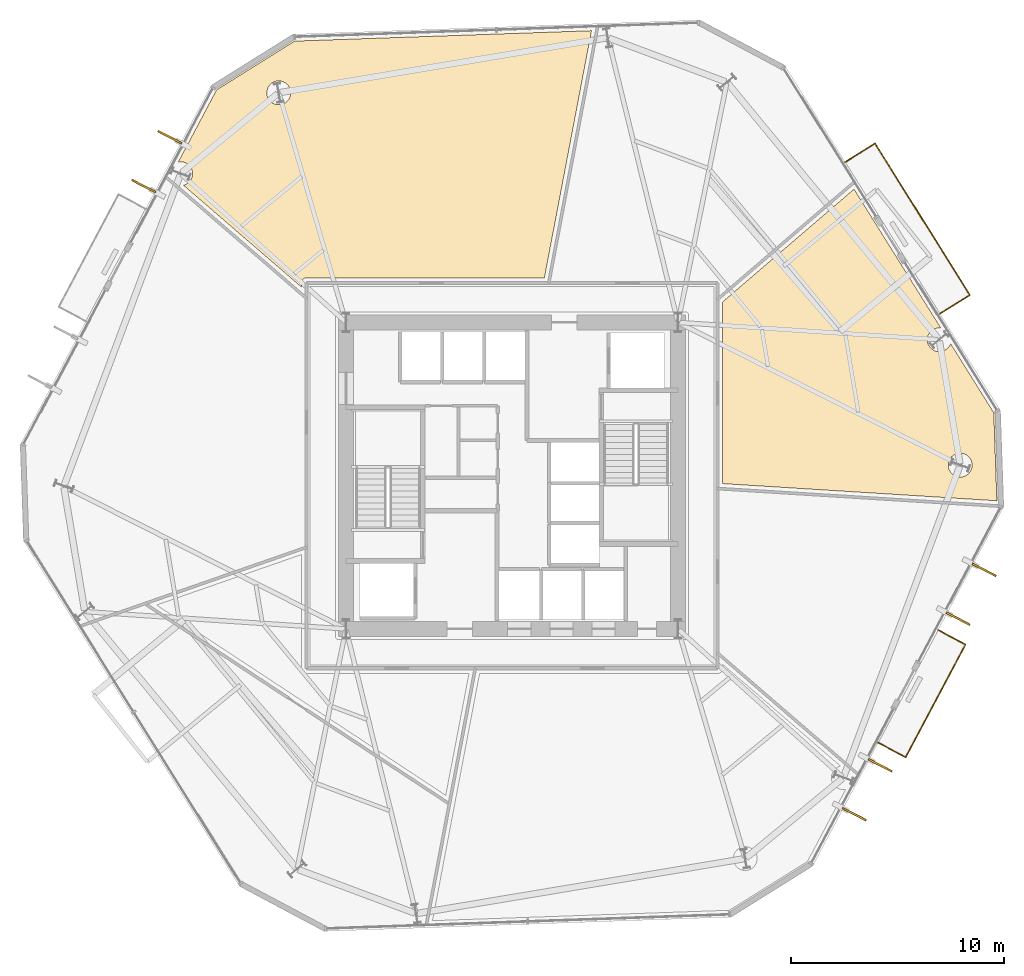
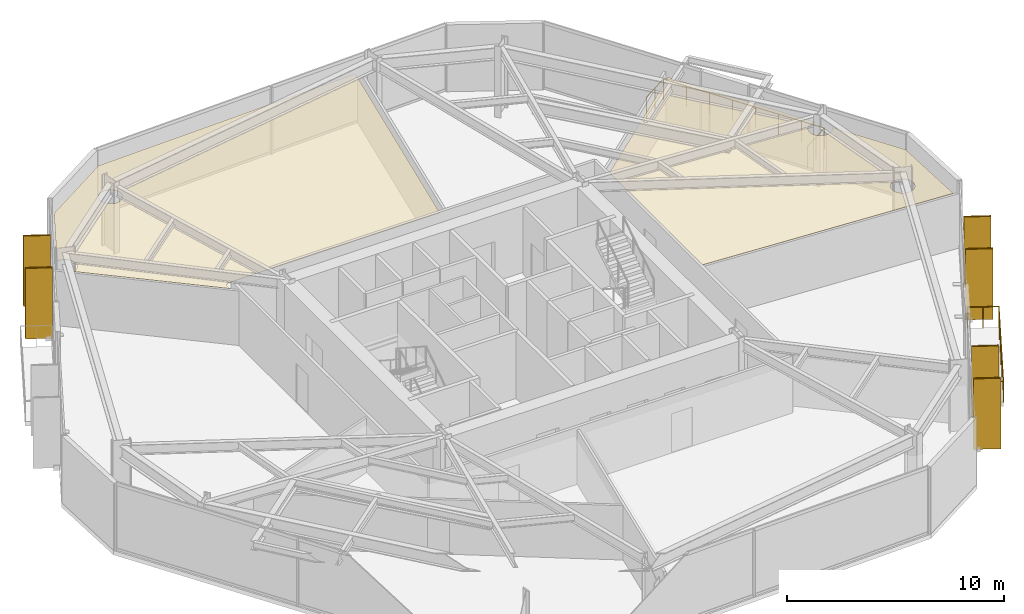
# One storey, part 10 of 10: 8 coverings, 6 shading devices, 2 railings.
"""IFC4 building model written with IfcOpenShell, lengths in metres."""

from ifc_helpers import new_model, si_unit, direction, frame, origin, origin_2d, place, context, subcontext, project, spatial, polyline, rectangle, circle, outline, extrude, material, layer, layer_set, type_object, element, save


model = new_model("IFC4")

# Units and contexts
model_context = context("Model", 3, precision=1e-05, world=origin(), true_north=direction((0.0, 1.0)))
body_context = subcontext(model_context, "Body", "Model", "MODEL_VIEW")
ifc_project = project(units=[si_unit("LENGTHUNIT", "METRE"), si_unit("AREAUNIT", "SQUARE_METRE"), si_unit("VOLUMEUNIT", "CUBIC_METRE"), si_unit("PLANEANGLEUNIT", "RADIAN"), si_unit("MASSUNIT", "GRAM", prefix="KILO")], contexts=[model_context])

# Site, building, storey
site_placement = place(None, origin())
site = spatial("IfcSite", under=ifc_project, at=site_placement, CompositionType="ELEMENT")
building_placement = place(site_placement, origin())
building = spatial("IfcBuilding", under=site, at=building_placement, Name="Kranzbogen Civic Tower", CompositionType="ELEMENT")
storey_placement = place(building_placement, frame((0.0, 0.0, 28.0)))
storey = spatial("IfcBuildingStorey", under=building, at=storey_placement, Name="L06", CompositionType="ELEMENT", Elevation=28.0)

# Coverings
ifc_material_1 = material(Name="Pale Anodised Aluminium", Category="aluminium")
ifc_layer_1 = layer(ifc_material_1, 0.02490234375, Name="Pale Anodised Aluminium")
ifc_layer_set_1 = layer_set([ifc_layer_1], Name="Pale Anodised Aluminium")
covering_type_1 = type_object("IfcCoveringType", Name="Anodised Aluminium Vertical Fin Cladding 25 mm", PredefinedType="CLADDING", material=ifc_layer_set_1)
for number, where, z_axis, x_axis, name in (
    (1, (8.9208984375, 40.903076171875, -0.139892578125), (0.0, 0.0, 1.0), (-0.888280786255, 0.459300821652, 0.0), "L06 vertical fin pale-metal cladding F3-1"),
    (2, (7.700927734375, 38.60693359375, -0.139892578125), (0.0, 0.0, 1.0), (-0.888280786255, 0.459300821652, 0.0), "L06 vertical fin pale-metal cladding F3-2"),
    (3, (41.0791015625, 9.096923828125, -0.139892578125), (0.0, 0.0, 1.0), (0.888280786255, -0.459300821652, 0.0), "L06 vertical fin pale-metal cladding F6-1"),
    (4, (42.299072265625, 11.39306640625, -0.139892578125), (0.0, 0.0, 1.0), (0.888280786255, -0.459300821652, 0.0), "L06 vertical fin pale-metal cladding F6-2"),
    (5, (45.9609375, 18.280029296875, -0.139892578125), (0.0, 0.0, 1.0), (0.888280786255, -0.459300821652, 0.0), "L06 vertical fin pale-metal cladding F6-5"),
    (6, (47.181884765625, 20.575927734375, -0.139892578125), (0.0, 0.0, 1.0), (0.888280786255, -0.459300821652, 0.0), "L06 vertical fin pale-metal cladding F6-6"),
):
    element("IfcCovering", number, at=place(storey_placement, frame(where, z_axis=z_axis, x_axis=x_axis)), inside=storey, type_object=covering_type_1, Name=name, PredefinedType="CLADDING", context=body_context, shape_type="SweptSolid", body=[
        extrude(rectangle(XDim=1.25, YDim=0.10009765625, at=origin_2d()), origin(), (0.0, 0.0, 1.0), 3.9599609375),
    ])

# Shading devices
ifc_material_2 = material(Name="Anodised Bronze Aluminium", Category="aluminium")
shading_device_type = type_object("IfcShadingDeviceType", Name="Anodised Bronze Vertical Facade Fin 1250x80", PredefinedType="USERDEFINED", material=ifc_material_2)
for number, where, z_axis, x_axis, name in (
    (7, (8.9208984375, 40.903076171875, -0.139892578125), (0.0, 0.0, 1.0), (-0.888280786255, 0.459300821652, 0.0), "L06 vertical exterior shading fin F3-1"),
    (8, (7.700927734375, 38.60693359375, -0.139892578125), (0.0, 0.0, 1.0), (-0.888280786255, 0.459300821652, 0.0), "L06 vertical exterior shading fin F3-2"),
    (9, (41.0791015625, 9.096923828125, -0.139892578125), (0.0, 0.0, 1.0), (0.888280786255, -0.459300821652, 0.0), "L06 vertical exterior shading fin F6-1"),
    (10, (42.299072265625, 11.39306640625, -0.139892578125), (0.0, 0.0, 1.0), (0.888280786255, -0.459300821652, 0.0), "L06 vertical exterior shading fin F6-2"),
    (11, (45.9609375, 18.280029296875, -0.139892578125), (0.0, 0.0, 1.0), (0.888280786255, -0.459300821652, 0.0), "L06 vertical exterior shading fin F6-5"),
    (12, (47.181884765625, 20.575927734375, -0.139892578125), (0.0, 0.0, 1.0), (0.888280786255, -0.459300821652, 0.0), "L06 vertical exterior shading fin F6-6"),
):
    element("IfcShadingDevice", number, at=place(storey_placement, frame(where, z_axis=z_axis, x_axis=x_axis)), inside=storey, type_object=shading_device_type, Name=name, ObjectType="FIN", PredefinedType="USERDEFINED", context=body_context, shape_type="SweptSolid", body=[
        extrude(rectangle(XDim=1.25, YDim=0.080078125, at=origin_2d()), origin(), (0.0, 0.0, 1.0), 3.9599609375),
    ])

# Railings
railing_type = type_object("IfcRailingType", Name="Cantilevered Balcony Glass and Bronze Balustrade 1200", PredefinedType="BALUSTRADE", material=ifc_material_2)
railing_1_placement = place(storey_placement, frame((42.2109375, 12.450927734375, 0.0)))
element("IfcRailing", 13, at=railing_1_placement, inside=storey, type_object=railing_type, Name="L06 exterior terrace balustrade L06-TB2", PredefinedType="BALUSTRADE", context=body_context, shape_type="SweptSolid", body=[
    extrude(circle(Radius=0.02392578125, at=origin_2d()), frame((0.0, 0.0, 1.17578125), z_axis=(0.882860505471, -0.469635313706, 0.0), x_axis=(0.469635313706, 0.882860505471, 0.0)), (0.0, 0.0, 1.0), 1.449951171875),
    extrude(circle(Radius=0.02392578125, at=origin_2d()), frame((1.280029296875, -0.680908203125, 1.17578125), z_axis=(0.469483413775, 0.882941291474, 0.0), x_axis=(-0.882941291474, 0.469483413775, 0.0)), (0.0, 0.0, 1.0), 6.00048828125),
    extrude(circle(Radius=0.02392578125, at=origin_2d()), frame((4.09716796875, 4.6171875, 1.17578125), z_axis=(-0.882860505471, 0.469635313706, 0.0), x_axis=(-0.469635313706, -0.882860505471, 0.0)), (0.0, 0.0, 1.0), 1.449951171875),
    extrude(circle(Radius=0.02099609375, at=origin_2d()), origin(), (0.0, 0.0, 1.0), 1.15185546875),
    extrude(circle(Radius=0.02099609375, at=origin_2d()), frame((0.64013671875, -0.34033203125, 0.0)), (0.0, 0.0, 1.0), 1.15185546875),
    extrude(circle(Radius=0.02099609375, at=origin_2d()), frame((1.280029296875, -0.680908203125, 0.0)), (0.0, 0.0, 1.0), 1.15185546875),
    extrude(circle(Radius=0.02099609375, at=origin_2d()), frame((1.74951171875, 0.2021484375, 0.0)), (0.0, 0.0, 1.0), 1.15185546875),
    extrude(circle(Radius=0.02099609375, at=origin_2d()), frame((2.218994140625, 1.085205078125, 0.0)), (0.0, 0.0, 1.0), 1.15185546875),
    extrude(circle(Radius=0.02099609375, at=origin_2d()), frame((2.6884765625, 1.96826171875, 0.0)), (0.0, 0.0, 1.0), 1.15185546875),
    extrude(circle(Radius=0.02099609375, at=origin_2d()), frame((3.158203125, 2.85107421875, 0.0)), (0.0, 0.0, 1.0), 1.15185546875),
    extrude(circle(Radius=0.02099609375, at=origin_2d()), frame((3.627685546875, 3.734130859375, 0.0)), (0.0, 0.0, 1.0), 1.15185546875),
    extrude(circle(Radius=0.02099609375, at=origin_2d()), frame((4.09716796875, 4.6171875, 0.0)), (0.0, 0.0, 1.0), 1.15185546875),
    extrude(circle(Radius=0.02099609375, at=origin_2d()), frame((3.45703125, 4.95751953125, 0.0)), (0.0, 0.0, 1.0), 1.15185546875),
    extrude(circle(Radius=0.02099609375, at=origin_2d()), frame((2.817138671875, 5.298095703125, 0.0)), (0.0, 0.0, 1.0), 1.15185546875),
])
railing_2_placement = place(storey_placement, frame((45.10888671875, 32.613037109375, 0.0)))
element("IfcRailing", 14, at=railing_2_placement, inside=storey, type_object=railing_type, Name="L06 exterior terrace balustrade L06-ST", PredefinedType="BALUSTRADE", context=body_context, shape_type="SweptSolid", body=[
    extrude(circle(Radius=0.02392578125, at=origin_2d()), frame((0.0, 0.0, 1.17578125), z_axis=(0.848122990072, 0.529799390064, 0.0), x_axis=(-0.529799390064, 0.848122990072, 0.0)), (0.0, 0.0, 1.0), 1.649658203125),
    extrude(circle(Radius=0.02392578125, at=origin_2d()), frame((1.399169921875, 0.8740234375, 1.17578125), z_axis=(-0.529936233792, 0.848037492163, 0.0), x_axis=(-0.848037492163, -0.529936233792, 0.0)), (0.0, 0.0, 1.0), 8.3994140625),
    extrude(circle(Radius=0.02392578125, at=origin_2d()), frame((-3.052001953125, 7.9970703125, 1.17578125), z_axis=(-0.8480814437, -0.529865893271, 0.0), x_axis=(0.529865893271, -0.8480814437, 0.0)), (0.0, 0.0, 1.0), 1.6494140625),
    extrude(circle(Radius=0.02099609375, at=origin_2d()), origin(), (0.0, 0.0, 1.0), 1.15185546875),
    extrude(circle(Radius=0.02099609375, at=origin_2d()), frame((0.69970703125, 0.43701171875, 0.0)), (0.0, 0.0, 1.0), 1.15185546875),
    extrude(circle(Radius=0.02099609375, at=origin_2d()), frame((1.399169921875, 0.8740234375, 0.0)), (0.0, 0.0, 1.0), 1.15185546875),
    extrude(circle(Radius=0.02099609375, at=origin_2d()), frame((0.76318359375, 1.8916015625, 0.0)), (0.0, 0.0, 1.0), 1.15185546875),
    extrude(circle(Radius=0.02099609375, at=origin_2d()), frame((0.12744140625, 2.9091796875, 0.0)), (0.0, 0.0, 1.0), 1.15185546875),
    extrude(circle(Radius=0.02099609375, at=origin_2d()), frame((-0.508544921875, 3.9267578125, 0.0)), (0.0, 0.0, 1.0), 1.15185546875),
    extrude(circle(Radius=0.02099609375, at=origin_2d()), frame((-1.144287109375, 4.9443359375, 0.0)), (0.0, 0.0, 1.0), 1.15185546875),
    extrude(circle(Radius=0.02099609375, at=origin_2d()), frame((-1.7802734375, 5.9619140625, 0.0)), (0.0, 0.0, 1.0), 1.15185546875),
    extrude(circle(Radius=0.02099609375, at=origin_2d()), frame((-2.416015625, 6.9794921875, 0.0)), (0.0, 0.0, 1.0), 1.15185546875),
    extrude(circle(Radius=0.02099609375, at=origin_2d()), frame((-3.052001953125, 7.9970703125, 0.0)), (0.0, 0.0, 1.0), 1.15185546875),
    extrude(circle(Radius=0.02099609375, at=origin_2d()), frame((-3.75146484375, 7.56005859375, 0.0)), (0.0, 0.0, 1.0), 1.15185546875),
    extrude(circle(Radius=0.02099609375, at=origin_2d()), frame((-4.450927734375, 7.123046875, 0.0)), (0.0, 0.0, 1.0), 1.15185546875),
])

# Coverings
ifc_material_3 = material(Name="Perforated Acoustic Gypsum Ceiling")
ifc_layer_2 = layer(ifc_material_3, 0.02490234375, Name="Perforated Acoustic Gypsum Ceiling")
ifc_layer_set_2 = layer_set([ifc_layer_2], Name="Perforated Acoustic Gypsum Ceiling")
covering_type_2 = type_object("IfcCoveringType", Name="Perforated Acoustic Mineral Ceiling Tile 25 mm", PredefinedType="CEILING", material=ifc_layer_set_2)
covering_1_placement = place(storey_placement, frame((0.0, 0.0, 2.89990234375)))
element("IfcCovering", 15, at=covering_1_placement, inside=storey, type_object=covering_type_2, Name="L06 Parliamentary Review Boardroom acoustic ceiling", PredefinedType="CEILING", context=body_context, shape_type="SweptSolid", body=[
    extrude(outline(polyline([(47.781005859375, 23.822021484375), (34.89501953125, 24.626953125), (34.89501953125, 33.166015625), (41.070068359375, 38.462890625), (45.14599609375, 31.93994140625), (45.126953125, 31.943115234375), (45.072021484375, 31.945068359375), (45.01708984375, 31.943115234375), (44.962890625, 31.93505859375), (44.909912109375, 31.9208984375), (44.85791015625, 31.903076171875), (44.80810546875, 31.87890625), (44.760986328125, 31.85107421875), (44.717041015625, 31.818115234375), (44.676025390625, 31.781982421875), (44.639892578125, 31.740966796875), (44.60693359375, 31.697021484375), (44.5791015625, 31.64990234375), (44.554931640625, 31.60009765625), (44.537109375, 31.548095703125), (44.52294921875, 31.4951171875), (44.514892578125, 31.44091796875), (44.512939453125, 31.385986328125), (44.514892578125, 31.3310546875), (44.52294921875, 31.277099609375), (44.537109375, 31.22412109375), (44.554931640625, 31.172119140625), (44.5791015625, 31.1220703125), (44.60693359375, 31.074951171875), (44.639892578125, 31.031005859375), (44.676025390625, 30.989990234375), (44.717041015625, 30.9541015625), (44.760986328125, 30.9208984375), (44.80810546875, 30.89306640625), (44.85791015625, 30.868896484375), (44.909912109375, 30.85107421875), (44.962890625, 30.8369140625), (45.01708984375, 30.8291015625), (45.072021484375, 30.826904296875), (45.126953125, 30.8291015625), (45.180908203125, 30.8369140625), (45.23388671875, 30.85107421875), (45.285888671875, 30.868896484375), (45.3359375, 30.89306640625), (45.383056640625, 30.9208984375), (45.427001953125, 30.9541015625), (45.468017578125, 30.989990234375), (45.50390625, 31.031005859375), (45.537109375, 31.074951171875), (45.56494140625, 31.1220703125), (45.589111328125, 31.172119140625), (45.60205078125, 31.2099609375), (47.635986328125, 27.955078125), (47.781005859375, 23.822021484375)]), holes=[polyline([(46.573974609375, 25.281982421875), (46.550048828125, 25.23193359375), (46.52197265625, 25.18505859375), (46.489013671875, 25.14111328125), (46.452880859375, 25.10009765625), (46.412109375, 25.06396484375), (46.367919921875, 25.031005859375), (46.321044921875, 25.0029296875), (46.27099609375, 24.97900390625), (46.218994140625, 24.9609375), (46.166015625, 24.947021484375), (46.112060546875, 24.93896484375), (46.056884765625, 24.93701171875), (46.001953125, 24.93896484375), (45.947998046875, 24.947021484375), (45.89501953125, 24.9609375), (45.843017578125, 24.97900390625), (45.79296875, 25.0029296875), (45.74609375, 25.031005859375), (45.701904296875, 25.06396484375), (45.660888671875, 25.10009765625), (45.625, 25.14111328125), (45.592041015625, 25.18505859375), (45.56396484375, 25.23193359375), (45.5400390625, 25.281982421875), (45.52197265625, 25.333984375), (45.508056640625, 25.386962890625), (45.5, 25.44091796875), (45.498046875, 25.49609375), (45.5, 25.551025390625), (45.508056640625, 25.60498046875), (45.52197265625, 25.657958984375), (45.5400390625, 25.7099609375), (45.56396484375, 25.760009765625), (45.592041015625, 25.806884765625), (45.625, 25.85107421875), (45.660888671875, 25.89208984375), (45.701904296875, 25.927978515625), (45.74609375, 25.9609375), (45.79296875, 25.989013671875), (45.843017578125, 26.012939453125), (45.89501953125, 26.031005859375), (45.947998046875, 26.044921875), (46.001953125, 26.052978515625), (46.056884765625, 26.054931640625), (46.112060546875, 26.052978515625), (46.166015625, 26.044921875), (46.218994140625, 26.031005859375), (46.27099609375, 26.012939453125), (46.321044921875, 25.989013671875), (46.367919921875, 25.9609375), (46.412109375, 25.927978515625), (46.452880859375, 25.89208984375), (46.489013671875, 25.85107421875), (46.52197265625, 25.806884765625), (46.550048828125, 25.760009765625), (46.573974609375, 25.7099609375), (46.592041015625, 25.657958984375), (46.60595703125, 25.60498046875), (46.614013671875, 25.551025390625), (46.615966796875, 25.49609375), (46.614013671875, 25.44091796875), (46.60595703125, 25.386962890625), (46.592041015625, 25.333984375), (46.573974609375, 25.281982421875)])]), origin(), (0.0, 0.0, 1.0), 0.025146484375),
])
covering_2_placement = place(storey_placement, frame((0.0, 0.0, 2.89990234375)))
element("IfcCovering", 16, at=covering_2_placement, inside=storey, type_object=covering_type_2, Name="L06 Delegates Sitting Lounge acoustic ceiling", PredefinedType="CEILING", context=body_context, shape_type="SweptSolid", body=[
    extrude(outline(polyline([(14.791015625, 45.41796875), (28.736083984375, 45.906005859375), (26.52294921875, 34.294921875), (15.35009765625, 34.294921875), (15.341064453125, 34.294921875), (15.3349609375, 34.2939453125), (15.31689453125, 34.29296875), (15.31103515625, 34.2919921875), (15.2939453125, 34.2880859375), (15.287109375, 34.287109375), (15.27001953125, 34.281982421875), (15.263916015625, 34.280029296875), (15.248046875, 34.27294921875), (15.241943359375, 34.27001953125), (15.22705078125, 34.261962890625), (15.220947265625, 34.258056640625), (15.20703125, 34.2490234375), (15.201904296875, 34.2451171875), (15.18798828125, 34.23388671875), (15.18310546875, 34.22900390625), (15.1708984375, 34.217041015625), (15.166015625, 34.2119140625), (15.155029296875, 34.197998046875), (15.15087890625, 34.193115234375), (15.14208984375, 34.178955078125), (15.137939453125, 34.173095703125), (15.1298828125, 34.157958984375), (15.126953125, 34.152099609375), (15.1201171875, 34.135986328125), (15.117919921875, 34.1298828125), (15.113037109375, 34.113037109375), (15.112060546875, 34.10595703125), (15.10791015625, 34.089111328125), (15.10693359375, 34.0830078125), (15.10595703125, 34.06494140625), (15.10498046875, 34.05908203125), (15.10498046875, 34.050048828125), (15.10498046875, 33.863037109375), (9.56298828125, 38.64599609375), (9.594970703125, 38.654052734375), (9.64697265625, 38.672119140625), (9.697021484375, 38.696044921875), (9.743896484375, 38.72412109375), (9.7880859375, 38.757080078125), (9.8291015625, 38.79296875), (9.864990234375, 38.833984375), (9.89794921875, 38.8779296875), (9.926025390625, 38.925048828125), (9.949951171875, 38.97509765625), (9.968017578125, 39.027099609375), (9.98193359375, 39.080078125), (9.989990234375, 39.134033203125), (9.991943359375, 39.18896484375), (9.989990234375, 39.243896484375), (9.98193359375, 39.298095703125), (9.968017578125, 39.35107421875), (9.949951171875, 39.403076171875), (9.926025390625, 39.452880859375), (9.89794921875, 39.5), (9.864990234375, 39.5439453125), (9.8291015625, 39.5849609375), (9.7880859375, 39.62109375), (9.743896484375, 39.654052734375), (9.697021484375, 39.681884765625), (9.64697265625, 39.7060546875), (9.594970703125, 39.72412109375), (9.5419921875, 39.738037109375), (9.488037109375, 39.74609375), (9.43310546875, 39.748046875), (9.3779296875, 39.74609375), (9.323974609375, 39.738037109375), (9.321044921875, 39.737060546875), (11.123046875, 43.126953125), (14.791015625, 45.41796875)]), holes=[polyline([(14.55908203125, 42.77392578125), (14.534912109375, 42.72412109375), (14.507080078125, 42.677001953125), (14.47412109375, 42.633056640625), (14.43798828125, 42.592041015625), (14.39697265625, 42.555908203125), (14.35302734375, 42.52294921875), (14.305908203125, 42.4951171875), (14.256103515625, 42.470947265625), (14.2041015625, 42.452880859375), (14.15087890625, 42.43896484375), (14.096923828125, 42.430908203125), (14.0419921875, 42.428955078125), (13.987060546875, 42.430908203125), (13.93310546875, 42.43896484375), (13.8798828125, 42.452880859375), (13.827880859375, 42.470947265625), (13.778076171875, 42.4951171875), (13.73095703125, 42.52294921875), (13.68701171875, 42.555908203125), (13.64599609375, 42.592041015625), (13.610107421875, 42.633056640625), (13.576904296875, 42.677001953125), (13.549072265625, 42.72412109375), (13.52490234375, 42.77392578125), (13.507080078125, 42.825927734375), (13.492919921875, 42.87890625), (13.485107421875, 42.93310546875), (13.48291015625, 42.988037109375), (13.485107421875, 43.04296875), (13.492919921875, 43.096923828125), (13.507080078125, 43.14990234375), (13.52490234375, 43.201904296875), (13.549072265625, 43.251953125), (13.576904296875, 43.299072265625), (13.610107421875, 43.343017578125), (13.64599609375, 43.384033203125), (13.68701171875, 43.419921875), (13.73095703125, 43.452880859375), (13.778076171875, 43.48095703125), (13.827880859375, 43.5048828125), (13.8798828125, 43.52294921875), (13.93310546875, 43.537109375), (13.987060546875, 43.544921875), (14.0419921875, 43.547119140625), (14.096923828125, 43.544921875), (14.15087890625, 43.537109375), (14.2041015625, 43.52294921875), (14.256103515625, 43.5048828125), (14.305908203125, 43.48095703125), (14.35302734375, 43.452880859375), (14.39697265625, 43.419921875), (14.43798828125, 43.384033203125), (14.47412109375, 43.343017578125), (14.507080078125, 43.299072265625), (14.534912109375, 43.251953125), (14.55908203125, 43.201904296875), (14.576904296875, 43.14990234375), (14.591064453125, 43.096923828125), (14.59912109375, 43.04296875), (14.60107421875, 42.988037109375), (14.59912109375, 42.93310546875), (14.591064453125, 42.87890625), (14.576904296875, 42.825927734375), (14.55908203125, 42.77392578125)])]), origin(), (0.0, 0.0, 1.0), 0.025146484375),
])

save(model, "model.ifc")
